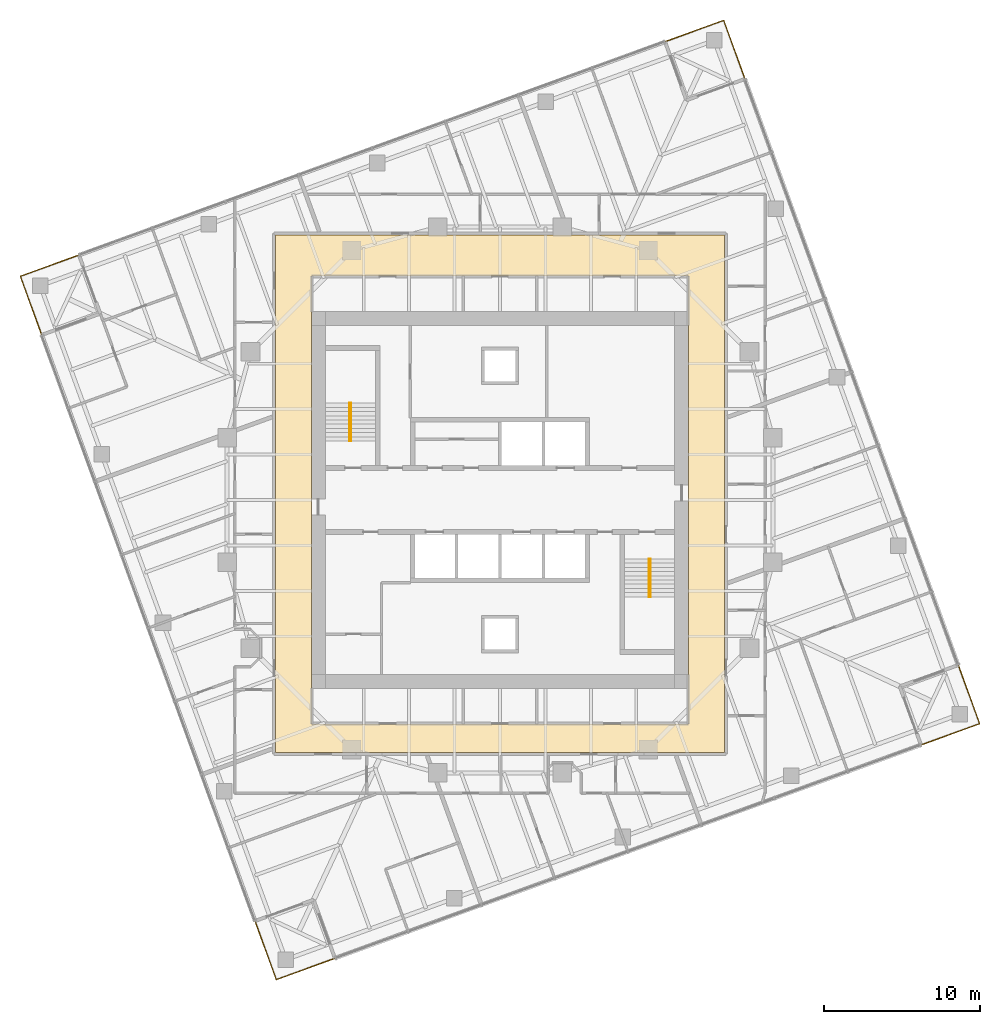
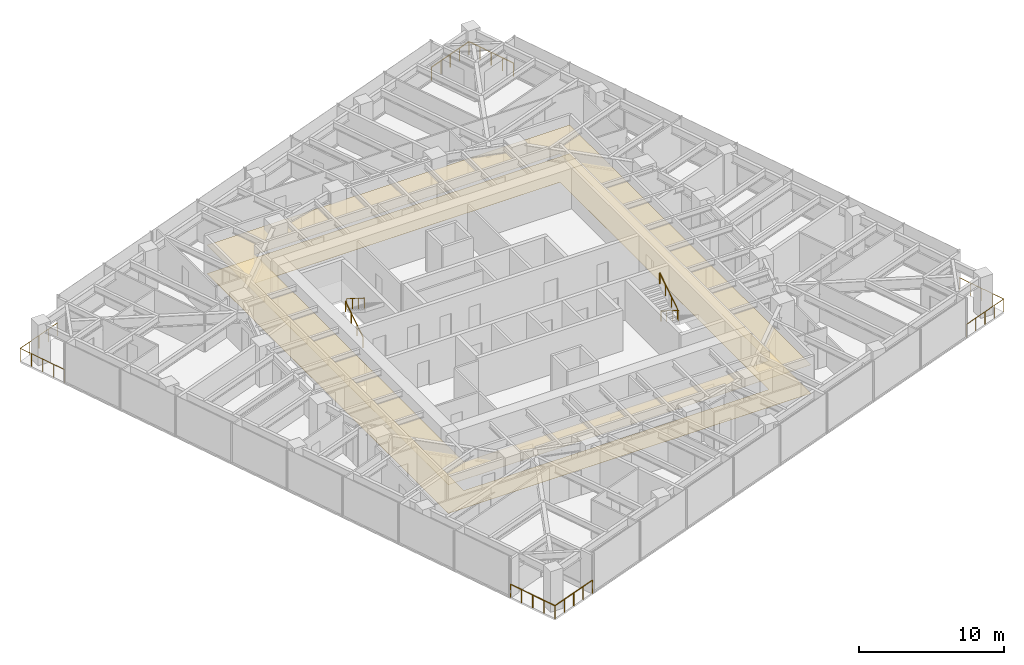
# One storey, part 13 of 13: 8 railings, 2 coverings, 2 elements without a shape of their own.
"""IFC4 building model written with IfcOpenShell, lengths in metres."""

from ifc_helpers import new_model, si_unit, direction, frame, origin, origin_2d, place, context, subcontext, project, spatial, polyline, circle, outline, extrude, material, layer, layer_set, type_object, element, aggregate, save


model = new_model("IFC4")

# Units and contexts
model_context = context("Model", 3, precision=1e-05, world=origin(), true_north=direction((0.0, 1.0)))
body_context = subcontext(model_context, "Body", "Model", "MODEL_VIEW")
ifc_project = project(units=[si_unit("LENGTHUNIT", "METRE"), si_unit("AREAUNIT", "SQUARE_METRE"), si_unit("VOLUMEUNIT", "CUBIC_METRE"), si_unit("PLANEANGLEUNIT", "RADIAN"), si_unit("MASSUNIT", "GRAM", prefix="KILO")], contexts=[model_context])

# Site, building, storey
site_placement = place(None, origin())
site = spatial("IfcSite", under=ifc_project, at=site_placement, CompositionType="ELEMENT")
building_placement = place(site_placement, origin())
building = spatial("IfcBuilding", under=site, at=building_placement, Name="Torsade Residences", CompositionType="ELEMENT")
storey_placement = place(building_placement, frame((0.0, 0.0, 154.0)))
storey = spatial("IfcBuildingStorey", under=building, at=storey_placement, Name="L42", CompositionType="ELEMENT", Elevation=154.0)

# Coverings
ifc_material_1 = material(Name="Nylon carpet tile on underlay", Category="textile")
ifc_layer_1 = layer(ifc_material_1, 0.010009765625)
ifc_layer_set_1 = layer_set([ifc_layer_1], Name="Nylon carpet tile on underlay")
covering_type_1 = type_object("IfcCoveringType", Name="CORRIDOR CARPET TILE 10", PredefinedType="FLOORING", material=ifc_layer_set_1)
covering_1_placement = place(storey_placement, origin())
element("IfcCovering", 1, at=covering_1_placement, inside=storey, type_object=covering_type_1, Name="Corridor carpet L42", PredefinedType="FLOORING", context=body_context, shape_type="SweptSolid", body=[
    extrude(outline(polyline([(25.60009765625, 47.0), (25.60009765625, 13.800048828125), (54.39990234375, 13.800048828125), (54.39990234375, 47.0), (25.60009765625, 47.0)]), holes=[polyline([(52.10009765625, 44.35009765625), (27.89990234375, 44.35009765625), (27.89990234375, 15.64990234375), (52.10009765625, 15.64990234375), (52.10009765625, 44.35009765625)])]), origin(), (0.0, 0.0, 1.0), 0.010009765625),
])
ifc_material_2 = material(Name="Plasterboard on suspended steel grid", Category="steel")
ifc_layer_2 = layer(ifc_material_2, 0.012939453125)
ifc_layer_set_2 = layer_set([ifc_layer_2], Name="Plasterboard on suspended steel grid")
covering_type_2 = type_object("IfcCoveringType", Name="CORRIDOR SUSPENDED CEILING 13", PredefinedType="CEILING", material=ifc_layer_set_2)
covering_2_placement = place(storey_placement, frame((0.0, 0.0, 2.39990234375)))
element("IfcCovering", 2, at=covering_2_placement, inside=storey, type_object=covering_type_2, Name="Corridor ceiling L42", PredefinedType="CEILING", context=body_context, shape_type="SweptSolid", body=[
    extrude(outline(polyline([(25.60009765625, 47.0), (25.60009765625, 13.800048828125), (54.39990234375, 13.800048828125), (54.39990234375, 47.0), (25.60009765625, 47.0)]), holes=[polyline([(52.10009765625, 44.35009765625), (27.89990234375, 44.35009765625), (27.89990234375, 15.64990234375), (52.10009765625, 15.64990234375), (52.10009765625, 44.35009765625)])]), origin(), (0.0, 0.0, 1.0), 0.01318359375),
])

# Stair, railings
ifc_material_3 = material(Name="Precast concrete 40 MPa", Category="concrete")
stair_type = type_object("IfcStairType", Name="HALF-TURN FIRE STAIR 1500x3400", PredefinedType="HALF_TURN_STAIR", material=ifc_material_3)
stair_1_placement = place(storey_placement, origin())
stair_1 = element("IfcStair", 3, at=stair_1_placement, inside=storey, type_object=stair_type, Name="Stair ST1 L42", PredefinedType="HALF_TURN_STAIR")
ifc_material_4 = material(Name="Steel handrail", Category="steel")
railing_type_1 = type_object("IfcRailingType", Name="STAIR HANDRAIL 900", PredefinedType="HANDRAIL", material=ifc_material_4)
railing_1_placement = place(storey_placement, frame((30.35009765625, 33.780029296875, 0.169921875)))
railing_1 = element("IfcRailing", 4, at=railing_1_placement, type_object=railing_type_1, Name="Handrail ST1 flight 1 L42", PredefinedType="HANDRAIL", context=body_context, shape_type="SweptSolid", body=[
    extrude(circle(Radius=0.02392578125, at=origin_2d()), frame((0.0, 0.0, 0.8759765625), z_axis=(0.0, 0.846221481393, 0.532831309544), x_axis=(-1.0, 0.0, 0.0)), (0.0, 0.0, 1.0), 2.87158203125),
    extrude(circle(Radius=0.02099609375, at=origin_2d()), origin(), (0.0, 0.0, 1.0), 0.851806640625),
    extrude(circle(Radius=0.02099609375, at=origin_2d()), frame((0.0, 0.81005859375, 0.510009765625)), (0.0, 0.0, 1.0), 0.851806640625),
    extrude(circle(Radius=0.02099609375, at=origin_2d()), frame((0.0, 1.619873046875, 1.02001953125)), (0.0, 0.0, 1.0), 0.851806640625),
    extrude(circle(Radius=0.02099609375, at=origin_2d()), frame((0.0, 2.429931640625, 1.530029296875)), (0.0, 0.0, 1.0), 0.851806640625),
])
railing_2_placement = place(storey_placement, frame((30.449951171875, 36.2099609375, 1.8701171875)))
railing_2 = element("IfcRailing", 5, at=railing_2_placement, type_object=railing_type_1, Name="Handrail ST1 flight 2 L42", PredefinedType="HANDRAIL", context=body_context, shape_type="SweptSolid", body=[
    extrude(circle(Radius=0.02392578125, at=origin_2d()), frame((0.0, 0.0, 0.8759765625), z_axis=(0.0, -0.846259816676, 0.532770422113), x_axis=(1.0, 0.0, 0.0)), (0.0, 0.0, 1.0), 2.871337890625),
    extrude(circle(Radius=0.02099609375, at=origin_2d()), origin(), (0.0, 0.0, 1.0), 0.851806640625),
    extrude(circle(Radius=0.02099609375, at=origin_2d()), frame((0.0, -0.81005859375, 0.510009765625)), (0.0, 0.0, 1.0), 0.851806640625),
    extrude(circle(Radius=0.02099609375, at=origin_2d()), frame((0.0, -1.619873046875, 1.019775390625)), (0.0, 0.0, 1.0), 0.851806640625),
    extrude(circle(Radius=0.02099609375, at=origin_2d()), frame((0.0, -2.429931640625, 1.52978515625)), (0.0, 0.0, 1.0), 0.851806640625),
])
aggregate(stair_1, [railing_1, railing_2])

stair_2_placement = place(storey_placement, origin())
stair_2 = element("IfcStair", 6, at=stair_2_placement, inside=storey, type_object=stair_type, Name="Stair ST2 L42", PredefinedType="HALF_TURN_STAIR")
railing_3_placement = place(storey_placement, frame((49.64990234375, 26.219970703125, 0.169921875)))
railing_3 = element("IfcRailing", 7, at=railing_3_placement, type_object=railing_type_1, Name="Handrail ST2 flight 1 L42", PredefinedType="HANDRAIL", context=body_context, shape_type="SweptSolid", body=[
    extrude(circle(Radius=0.02392578125, at=origin_2d()), frame((0.0, 0.0, 0.8759765625), z_axis=(0.0, -0.846221481393, 0.532831309544), x_axis=(1.0, 0.0, 0.0)), (0.0, 0.0, 1.0), 2.87158203125),
    extrude(circle(Radius=0.02099609375, at=origin_2d()), origin(), (0.0, 0.0, 1.0), 0.851806640625),
    extrude(circle(Radius=0.02099609375, at=origin_2d()), frame((0.0, -0.81005859375, 0.510009765625)), (0.0, 0.0, 1.0), 0.851806640625),
    extrude(circle(Radius=0.02099609375, at=origin_2d()), frame((0.0, -1.619873046875, 1.02001953125)), (0.0, 0.0, 1.0), 0.851806640625),
    extrude(circle(Radius=0.02099609375, at=origin_2d()), frame((0.0, -2.429931640625, 1.530029296875)), (0.0, 0.0, 1.0), 0.851806640625),
])
railing_4_placement = place(storey_placement, frame((49.550048828125, 23.7900390625, 1.8701171875)))
railing_4 = element("IfcRailing", 8, at=railing_4_placement, type_object=railing_type_1, Name="Handrail ST2 flight 2 L42", PredefinedType="HANDRAIL", context=body_context, shape_type="SweptSolid", body=[
    extrude(circle(Radius=0.02392578125, at=origin_2d()), frame((0.0, 0.0, 0.8759765625), z_axis=(0.0, 0.846259816676, 0.532770422113), x_axis=(-1.0, 0.0, 0.0)), (0.0, 0.0, 1.0), 2.871337890625),
    extrude(circle(Radius=0.02099609375, at=origin_2d()), origin(), (0.0, 0.0, 1.0), 0.851806640625),
    extrude(circle(Radius=0.02099609375, at=origin_2d()), frame((0.0, 0.81005859375, 0.510009765625)), (0.0, 0.0, 1.0), 0.851806640625),
    extrude(circle(Radius=0.02099609375, at=origin_2d()), frame((0.0, 1.619873046875, 1.019775390625)), (0.0, 0.0, 1.0), 0.851806640625),
    extrude(circle(Radius=0.02099609375, at=origin_2d()), frame((0.0, 2.429931640625, 1.52978515625)), (0.0, 0.0, 1.0), 0.851806640625),
])
aggregate(stair_2, [railing_3, railing_4])

# Railings
ifc_material_5 = material(Name="Laminated glass balustrade", Category="glass")
railing_type_2 = type_object("IfcRailingType", Name="TERRACE GLASS BALUSTRADE 1100", PredefinedType="BALUSTRADE", material=ifc_material_5)
railing_5_placement = place(storey_placement, frame((67.00244140625, 14.287841796875, 0.0)))
element("IfcRailing", 9, at=railing_5_placement, inside=storey, type_object=railing_type_2, Name="Terrace balustrade SE L42", PredefinedType="BALUSTRADE", context=body_context, shape_type="SweptSolid", body=[
    extrude(circle(Radius=0.02392578125, at=origin_2d()), frame((0.0, 0.0, 1.076171875), z_axis=(0.939698932726, 0.342002800914, 0.0), x_axis=(-0.342002800914, 0.939698932726, 0.0)), (0.0, 0.0, 1.0), 3.999755859375),
    extrude(circle(Radius=0.02392578125, at=origin_2d()), frame((3.758544921875, 1.367919921875, 1.076171875), z_axis=(-0.341983185197, 0.939706071622, 0.0), x_axis=(-0.939706071622, -0.341983185197, 0.0)), (0.0, 0.0, 1.0), 4.0),
    extrude(circle(Radius=0.02099609375, at=origin_2d()), origin(), (0.0, 0.0, 1.0), 1.052001953125),
    extrude(circle(Radius=0.02099609375, at=origin_2d()), frame((0.939697265625, 0.342041015625, 0.0)), (0.0, 0.0, 1.0), 1.052001953125),
    extrude(circle(Radius=0.02099609375, at=origin_2d()), frame((1.87939453125, 0.68408203125, 0.0)), (0.0, 0.0, 1.0), 1.052001953125),
    extrude(circle(Radius=0.02099609375, at=origin_2d()), frame((2.81884765625, 1.02587890625, 0.0)), (0.0, 0.0, 1.0), 1.052001953125),
    extrude(circle(Radius=0.02099609375, at=origin_2d()), frame((3.758544921875, 1.367919921875, 0.0)), (0.0, 0.0, 1.0), 1.052001953125),
    extrude(circle(Radius=0.02099609375, at=origin_2d()), frame((3.41650390625, 2.3076171875, 0.0)), (0.0, 0.0, 1.0), 1.052001953125),
    extrude(circle(Radius=0.02099609375, at=origin_2d()), frame((3.07470703125, 3.247314453125, 0.0)), (0.0, 0.0, 1.0), 1.052001953125),
    extrude(circle(Radius=0.02099609375, at=origin_2d()), frame((2.732666015625, 4.18701171875, 0.0)), (0.0, 0.0, 1.0), 1.052001953125),
    extrude(circle(Radius=0.02099609375, at=origin_2d()), frame((2.390625, 5.126708984375, 0.0)), (0.0, 0.0, 1.0), 1.052001953125),
])
railing_6_placement = place(storey_placement, frame((55.712158203125, 57.00244140625, 0.0)))
element("IfcRailing", 10, at=railing_6_placement, inside=storey, type_object=railing_type_2, Name="Terrace balustrade NE L42", PredefinedType="BALUSTRADE", context=body_context, shape_type="SweptSolid", body=[
    extrude(circle(Radius=0.02392578125, at=origin_2d()), frame((0.0, 0.0, 1.076171875), z_axis=(-0.342002800914, 0.939698932726, 0.0), x_axis=(-0.939698932726, -0.342002800914, 0.0)), (0.0, 0.0, 1.0), 3.999755859375),
    extrude(circle(Radius=0.02392578125, at=origin_2d()), frame((-1.367919921875, 3.758544921875, 1.076171875), z_axis=(-0.939706071622, -0.341983185197, 0.0), x_axis=(0.341983185197, -0.939706071622, 0.0)), (0.0, 0.0, 1.0), 4.0),
    extrude(circle(Radius=0.02099609375, at=origin_2d()), origin(), (0.0, 0.0, 1.0), 1.052001953125),
    extrude(circle(Radius=0.02099609375, at=origin_2d()), frame((-0.342041015625, 0.939697265625, 0.0)), (0.0, 0.0, 1.0), 1.052001953125),
    extrude(circle(Radius=0.02099609375, at=origin_2d()), frame((-0.68408203125, 1.87939453125, 0.0)), (0.0, 0.0, 1.0), 1.052001953125),
    extrude(circle(Radius=0.02099609375, at=origin_2d()), frame((-1.02587890625, 2.81884765625, 0.0)), (0.0, 0.0, 1.0), 1.052001953125),
    extrude(circle(Radius=0.02099609375, at=origin_2d()), frame((-1.367919921875, 3.758544921875, 0.0)), (0.0, 0.0, 1.0), 1.052001953125),
    extrude(circle(Radius=0.02099609375, at=origin_2d()), frame((-2.3076171875, 3.41650390625, 0.0)), (0.0, 0.0, 1.0), 1.052001953125),
    extrude(circle(Radius=0.02099609375, at=origin_2d()), frame((-3.247314453125, 3.07470703125, 0.0)), (0.0, 0.0, 1.0), 1.052001953125),
    extrude(circle(Radius=0.02099609375, at=origin_2d()), frame((-4.18701171875, 2.732666015625, 0.0)), (0.0, 0.0, 1.0), 1.052001953125),
    extrude(circle(Radius=0.02099609375, at=origin_2d()), frame((-5.126708984375, 2.390625, 0.0)), (0.0, 0.0, 1.0), 1.052001953125),
])
railing_7_placement = place(storey_placement, frame((12.99755859375, 45.712158203125, 0.0)))
element("IfcRailing", 11, at=railing_7_placement, inside=storey, type_object=railing_type_2, Name="Terrace balustrade NW L42", PredefinedType="BALUSTRADE", context=body_context, shape_type="SweptSolid", body=[
    extrude(circle(Radius=0.02392578125, at=origin_2d()), frame((0.0, 0.0, 1.076171875), z_axis=(-0.939698932726, -0.342002800914, 0.0), x_axis=(0.342002800914, -0.939698932726, 0.0)), (0.0, 0.0, 1.0), 3.999755859375),
    extrude(circle(Radius=0.02392578125, at=origin_2d()), frame((-3.758544921875, -1.367919921875, 1.076171875), z_axis=(0.341983185197, -0.939706071622, 0.0), x_axis=(0.939706071622, 0.341983185197, 0.0)), (0.0, 0.0, 1.0), 4.0),
    extrude(circle(Radius=0.02099609375, at=origin_2d()), origin(), (0.0, 0.0, 1.0), 1.052001953125),
    extrude(circle(Radius=0.02099609375, at=origin_2d()), frame((-0.939697265625, -0.342041015625, 0.0)), (0.0, 0.0, 1.0), 1.052001953125),
    extrude(circle(Radius=0.02099609375, at=origin_2d()), frame((-1.87939453125, -0.68408203125, 0.0)), (0.0, 0.0, 1.0), 1.052001953125),
    extrude(circle(Radius=0.02099609375, at=origin_2d()), frame((-2.81884765625, -1.02587890625, 0.0)), (0.0, 0.0, 1.0), 1.052001953125),
    extrude(circle(Radius=0.02099609375, at=origin_2d()), frame((-3.758544921875, -1.367919921875, 0.0)), (0.0, 0.0, 1.0), 1.052001953125),
    extrude(circle(Radius=0.02099609375, at=origin_2d()), frame((-3.41650390625, -2.3076171875, 0.0)), (0.0, 0.0, 1.0), 1.052001953125),
    extrude(circle(Radius=0.02099609375, at=origin_2d()), frame((-3.07470703125, -3.247314453125, 0.0)), (0.0, 0.0, 1.0), 1.052001953125),
    extrude(circle(Radius=0.02099609375, at=origin_2d()), frame((-2.732666015625, -4.18701171875, 0.0)), (0.0, 0.0, 1.0), 1.052001953125),
    extrude(circle(Radius=0.02099609375, at=origin_2d()), frame((-2.390625, -5.126708984375, 0.0)), (0.0, 0.0, 1.0), 1.052001953125),
])
railing_8_placement = place(storey_placement, frame((24.287841796875, 2.99755859375, 0.0)))
element("IfcRailing", 12, at=railing_8_placement, inside=storey, type_object=railing_type_2, Name="Terrace balustrade SW L42", PredefinedType="BALUSTRADE", context=body_context, shape_type="SweptSolid", body=[
    extrude(circle(Radius=0.02392578125, at=origin_2d()), frame((0.0, 0.0, 1.076171875), z_axis=(0.342002800914, -0.939698932726, 0.0), x_axis=(0.939698932726, 0.342002800914, 0.0)), (0.0, 0.0, 1.0), 3.999755859375),
    extrude(circle(Radius=0.02392578125, at=origin_2d()), frame((1.367919921875, -3.758544921875, 1.076171875), z_axis=(0.939706071622, 0.341983185197, 0.0), x_axis=(-0.341983185197, 0.939706071622, 0.0)), (0.0, 0.0, 1.0), 4.0),
    extrude(circle(Radius=0.02099609375, at=origin_2d()), origin(), (0.0, 0.0, 1.0), 1.052001953125),
    extrude(circle(Radius=0.02099609375, at=origin_2d()), frame((0.342041015625, -0.939697265625, 0.0)), (0.0, 0.0, 1.0), 1.052001953125),
    extrude(circle(Radius=0.02099609375, at=origin_2d()), frame((0.68408203125, -1.87939453125, 0.0)), (0.0, 0.0, 1.0), 1.052001953125),
    extrude(circle(Radius=0.02099609375, at=origin_2d()), frame((1.02587890625, -2.81884765625, 0.0)), (0.0, 0.0, 1.0), 1.052001953125),
    extrude(circle(Radius=0.02099609375, at=origin_2d()), frame((1.367919921875, -3.758544921875, 0.0)), (0.0, 0.0, 1.0), 1.052001953125),
    extrude(circle(Radius=0.02099609375, at=origin_2d()), frame((2.3076171875, -3.41650390625, 0.0)), (0.0, 0.0, 1.0), 1.052001953125),
    extrude(circle(Radius=0.02099609375, at=origin_2d()), frame((3.247314453125, -3.07470703125, 0.0)), (0.0, 0.0, 1.0), 1.052001953125),
    extrude(circle(Radius=0.02099609375, at=origin_2d()), frame((4.18701171875, -2.732666015625, 0.0)), (0.0, 0.0, 1.0), 1.052001953125),
    extrude(circle(Radius=0.02099609375, at=origin_2d()), frame((5.126708984375, -2.390625, 0.0)), (0.0, 0.0, 1.0), 1.052001953125),
])

save(model, "model.ifc")
